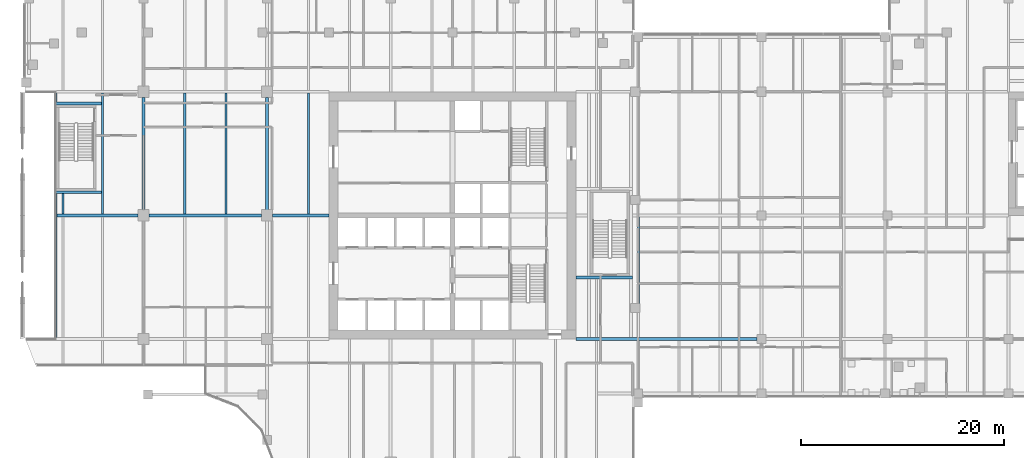
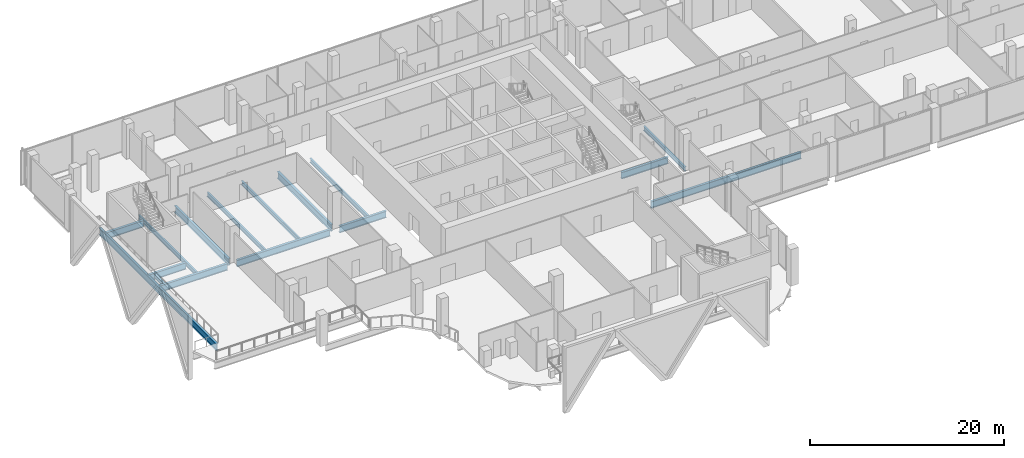
# One storey, part 3 of 33: 16 beams.
"""IFC4 building model written with IfcOpenShell, lengths in metres."""

from ifc_helpers import new_model, si_unit, direction, frame, origin, origin_2d, place, context, subcontext, project, spatial, i_section, extrude, material, material_profile, profile_set, type_object, element, save


model = new_model("IFC4")

# Units and contexts
model_context = context("Model", 3, precision=1e-05, world=origin(), true_north=direction((0.0, 1.0)))
body_context = subcontext(model_context, "Body", "Model", "MODEL_VIEW")
ifc_project = project(units=[si_unit("LENGTHUNIT", "METRE"), si_unit("AREAUNIT", "SQUARE_METRE"), si_unit("VOLUMEUNIT", "CUBIC_METRE"), si_unit("PLANEANGLEUNIT", "RADIAN"), si_unit("MASSUNIT", "GRAM", prefix="KILO")], contexts=[model_context])

# Site, building, storey
site_placement = place(None, origin())
site = spatial("IfcSite", under=ifc_project, at=site_placement, CompositionType="ELEMENT")
building_placement = place(site_placement, origin())
building = spatial("IfcBuilding", under=site, at=building_placement, Name="Tessera Gate Towers", CompositionType="ELEMENT")
storey_placement = place(building_placement, frame((0.0, 0.0, 12.0)))
storey = spatial("IfcBuildingStorey", under=building, at=storey_placement, Name="L02", CompositionType="ELEMENT", Elevation=12.0)

# Beams
ifc_material_1 = material(Name="Steel 350W", Category="steel")
ifc_material_profile_1 = material_profile(ifc_material_1, i_section(OverallWidth=0.2919921875, OverallDepth=0.8349609375, WebThickness=0.013916015625, FlangeThickness=0.018798828125, at=origin_2d()), Name="W840x176")
ifc_profile_set_1 = profile_set([ifc_material_profile_1], Name="Steel 350W")
beam_type_1 = type_object("IfcBeamType", Name="FLOOR GIRDER W840x176", PredefinedType="BEAM", material=ifc_profile_set_1)
beam_1_placement = place(storey_placement, frame((3.5, 24.5458984375, -0.66748046875), z_axis=(0.0, 1.0, 0.0), x_axis=(-1.0, 0.0, 0.0)))
element("IfcBeam", 1, at=beam_1_placement, inside=storey, type_object=beam_type_1, Name="PD-GD-L02-375", PredefinedType="BEAM", context=body_context, shape_type="SweptSolid", body=[
    extrude(i_section(OverallWidth=0.2919921875, OverallDepth=0.8349609375, WebThickness=0.013916015625, FlangeThickness=0.018798828125, at=origin_2d()), origin(), (0.0, 0.0, 1.0), 24.108154296875),
])
beam_2_placement = place(storey_placement, frame((54.90087890625, 24.39990234375, -0.66748046875), z_axis=(1.0, 0.0, 0.0), x_axis=(0.0, 1.0, 0.0)))
element("IfcBeam", 2, at=beam_2_placement, inside=storey, type_object=beam_type_1, Name="PD-GD-L02-383", PredefinedType="BEAM", context=body_context, shape_type="SweptSolid", body=[
    extrude(i_section(OverallWidth=0.2919921875, OverallDepth=0.8349609375, WebThickness=0.013916015625, FlangeThickness=0.018798828125, at=origin_2d()), origin(), (0.0, 0.0, 1.0), 17.84912109375),
])
beam_3_placement = place(storey_placement, frame((3.64599609375, 36.60009765625, -0.66748046875), z_axis=(1.0, 0.0, 0.0), x_axis=(0.0, 1.0, 0.0)))
element("IfcBeam", 3, at=beam_3_placement, inside=storey, type_object=beam_type_1, Name="PD-GD-L02-389", PredefinedType="BEAM", context=body_context, shape_type="SweptSolid", body=[
    extrude(i_section(OverallWidth=0.2919921875, OverallDepth=0.8349609375, WebThickness=0.013916015625, FlangeThickness=0.018798828125, at=origin_2d()), origin(), (0.0, 0.0, 1.0), 8.00390625),
])
beam_4_placement = place(storey_placement, frame((12.75, 36.60009765625, -0.66748046875), z_axis=(1.0, 0.0, 0.0), x_axis=(0.0, 1.0, 0.0)))
element("IfcBeam", 4, at=beam_4_placement, inside=storey, type_object=beam_type_1, Name="PD-GD-L02-390", PredefinedType="BEAM", context=body_context, shape_type="SweptSolid", body=[
    extrude(i_section(OverallWidth=0.2919921875, OverallDepth=0.8349609375, WebThickness=0.013916015625, FlangeThickness=0.018798828125, at=origin_2d()), origin(), (0.0, 0.0, 1.0), 11.10009765625),
])
beam_5_placement = place(storey_placement, frame((24.949951171875, 36.60009765625, -0.66748046875), z_axis=(1.0, 0.0, 0.0), x_axis=(0.0, 1.0, 0.0)))
element("IfcBeam", 5, at=beam_5_placement, inside=storey, type_object=beam_type_1, Name="PD-GD-L02-391", PredefinedType="BEAM", context=body_context, shape_type="SweptSolid", body=[
    extrude(i_section(OverallWidth=0.2919921875, OverallDepth=0.8349609375, WebThickness=0.013916015625, FlangeThickness=0.018798828125, at=origin_2d()), origin(), (0.0, 0.0, 1.0), 5.551025390625),
])
for number, where, z_axis, x_axis, name in (
    (6, (12.199951171875, 37.14990234375, -0.66748046875), (0.0, 1.0, 0.0), (-1.0, 0.0, 0.0), "PD-GD-L02-417"),
    (7, (24.39990234375, 37.14990234375, -0.66748046875), (0.0, 1.0, 0.0), (-1.0, 0.0, 0.0), "PD-GD-L02-421"),
):
    element("IfcBeam", number, at=place(storey_placement, frame(where, z_axis=z_axis, x_axis=x_axis)), inside=storey, type_object=beam_type_1, Name=name, PredefinedType="BEAM", context=body_context, shape_type="SweptSolid", body=[
        extrude(i_section(OverallWidth=0.2919921875, OverallDepth=0.8349609375, WebThickness=0.013916015625, FlangeThickness=0.018798828125, at=origin_2d()), origin(), (0.0, 0.0, 1.0), 11.10009765625),
    ])
for number, where, z_axis, x_axis, name in (
    (8, (3.4990234375, 38.8798828125, -0.66748046875), (1.0, 0.0, 0.0), (0.0, 1.0, 0.0), "PD-GD-L02-441"),
    (9, (3.4990234375, 47.6201171875, -0.66748046875), (1.0, 0.0, 0.0), (0.0, 1.0, 0.0), "PD-GD-L02-442"),
):
    element("IfcBeam", number, at=place(storey_placement, frame(where, z_axis=z_axis, x_axis=x_axis)), inside=storey, type_object=beam_type_1, Name=name, PredefinedType="BEAM", context=body_context, shape_type="SweptSolid", body=[
        extrude(i_section(OverallWidth=0.2919921875, OverallDepth=0.8349609375, WebThickness=0.013916015625, FlangeThickness=0.018798828125, at=origin_2d()), origin(), (0.0, 0.0, 1.0), 4.52978515625),
    ])
beam_6_placement = place(storey_placement, frame((54.89892578125, 30.47998046875, -0.66748046875), z_axis=(1.0, 0.0, 0.0), x_axis=(0.0, 1.0, 0.0)))
element("IfcBeam", 10, at=beam_6_placement, inside=storey, type_object=beam_type_1, Name="PD-GD-L02-445", PredefinedType="BEAM", context=body_context, shape_type="SweptSolid", body=[
    extrude(i_section(OverallWidth=0.2919921875, OverallDepth=0.8349609375, WebThickness=0.013916015625, FlangeThickness=0.018798828125, at=origin_2d()), origin(), (0.0, 0.0, 1.0), 5.567138671875),
])
ifc_material_2 = material(Name="Steel 350W", Category="steel")
ifc_material_profile_2 = material_profile(ifc_material_2, i_section(OverallWidth=0.208984375, OverallDepth=0.528076171875, WebThickness=0.009521484375, FlangeThickness=0.01318359375, at=origin_2d()), Name="W530x82")
ifc_profile_set_2 = profile_set([ifc_material_profile_2], Name="Steel 350W")
beam_type_2 = type_object("IfcBeamType", Name="FLOOR SECONDARY W530x82", PredefinedType="BEAM", material=ifc_profile_set_2)
beam_7_placement = place(storey_placement, frame((4.25048828125, 36.74609375, -0.513916015625), z_axis=(0.0, 1.0, 0.0), x_axis=(-1.0, 0.0, 0.0)))
element("IfcBeam", 11, at=beam_7_placement, inside=storey, type_object=beam_type_2, Name="PD-BM-L02-453", PredefinedType="BEAM", context=body_context, shape_type="SweptSolid", body=[
    extrude(i_section(OverallWidth=0.208984375, OverallDepth=0.528076171875, WebThickness=0.009521484375, FlangeThickness=0.01318359375, at=origin_2d()), origin(), (0.0, 0.0, 1.0), 1.98779296875),
])
for number, where, z_axis, x_axis, name in (
    (12, (8.13330078125, 36.74609375, -0.513916015625), (0.0, 1.0, 0.0), (-1.0, 0.0, 0.0), "PD-BM-L02-457"),
    (13, (16.2666015625, 36.74609375, -0.513916015625), (0.0, 1.0, 0.0), (-1.0, 0.0, 0.0), "PD-BM-L02-461"),
    (14, (20.333251953125, 36.74609375, -0.513916015625), (0.0, 1.0, 0.0), (-1.0, 0.0, 0.0), "PD-BM-L02-466"),
    (15, (28.466796875, 36.74609375, -0.513916015625), (0.0, 1.0, 0.0), (-1.0, 0.0, 0.0), "PD-BM-L02-472"),
):
    element("IfcBeam", number, at=place(storey_placement, frame(where, z_axis=z_axis, x_axis=x_axis)), inside=storey, type_object=beam_type_2, Name=name, PredefinedType="BEAM", context=body_context, shape_type="SweptSolid", body=[
        extrude(i_section(OverallWidth=0.208984375, OverallDepth=0.528076171875, WebThickness=0.009521484375, FlangeThickness=0.01318359375, at=origin_2d()), origin(), (0.0, 0.0, 1.0), 11.907958984375),
    ])
beam_8_placement = place(storey_placement, frame((61.070556640625, 27.89990234375, -0.513916015625), z_axis=(0.0, 1.0, 0.0), x_axis=(-1.0, 0.0, 0.0)))
element("IfcBeam", 16, at=beam_8_placement, inside=storey, type_object=beam_type_2, Name="PD-BM-L02-496", PredefinedType="BEAM", context=body_context, shape_type="SweptSolid", body=[
    extrude(i_section(OverallWidth=0.208984375, OverallDepth=0.528076171875, WebThickness=0.009521484375, FlangeThickness=0.01318359375, at=origin_2d()), origin(), (0.0, 0.0, 1.0), 8.55419921875),
])

save(model, "model.ifc")
